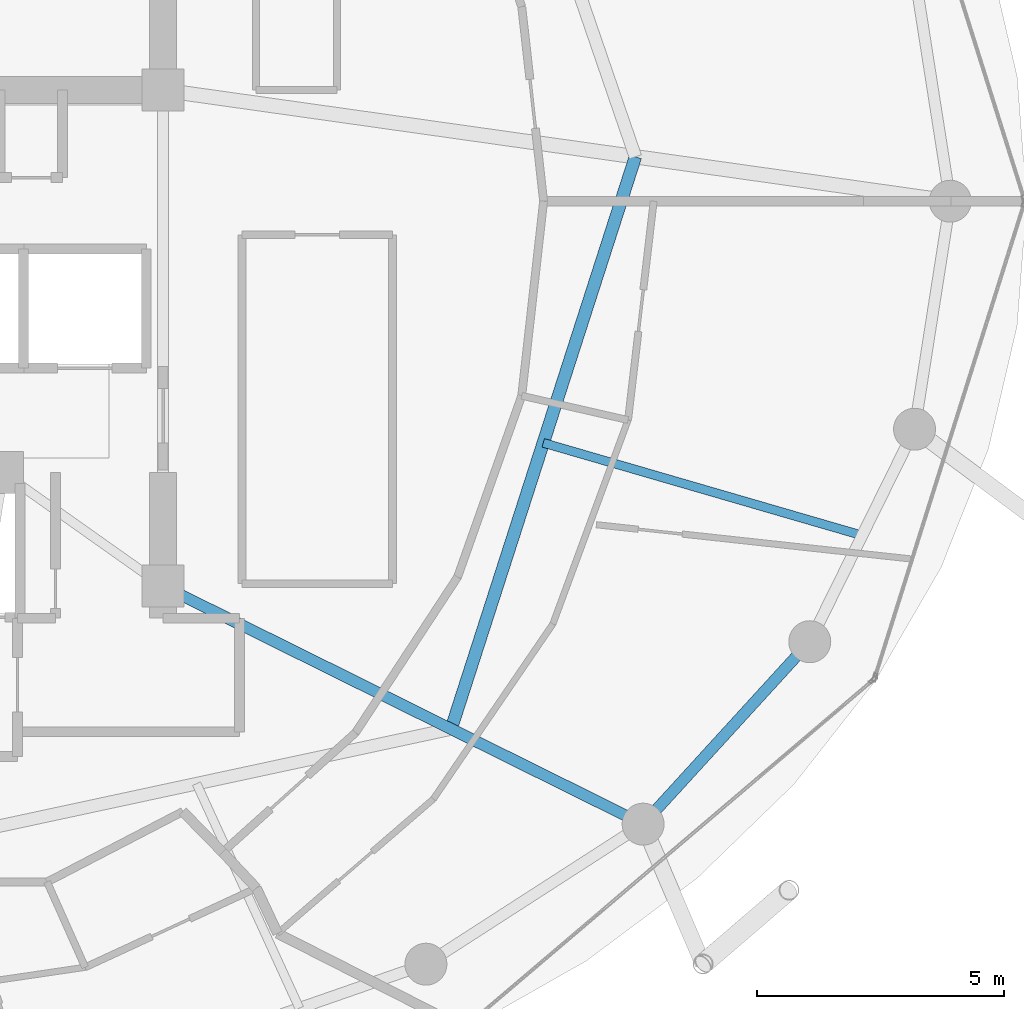
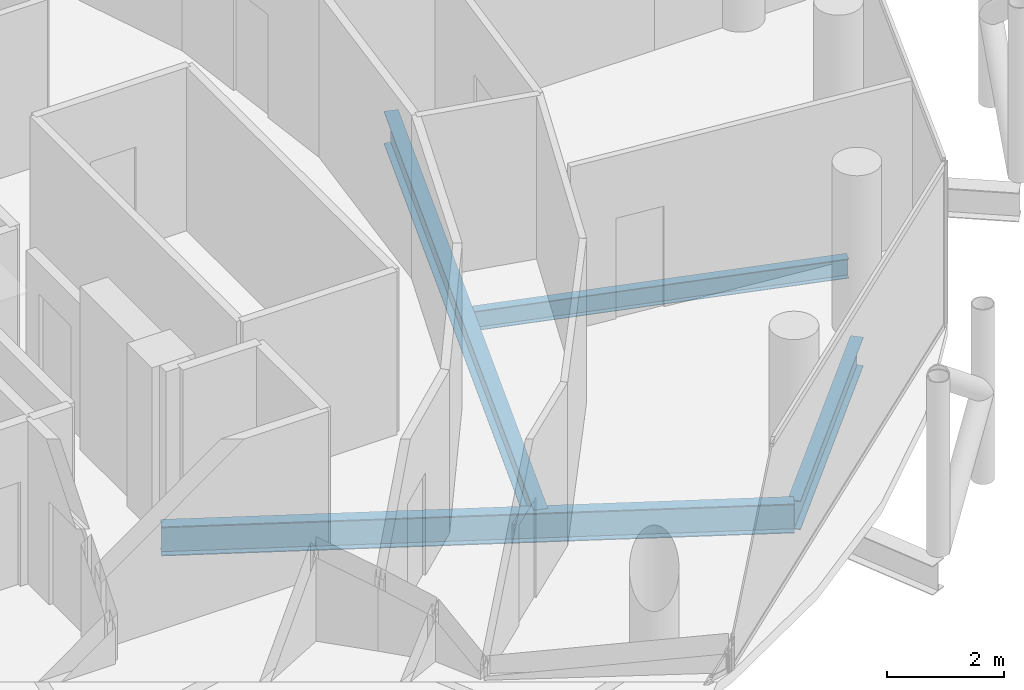
# One storey, part 12 of 27: 4 beams.
"""IFC4 building model written with IfcOpenShell, lengths in metres."""

from ifc_helpers import new_model, si_unit, direction, frame, origin, origin_2d, place, context, subcontext, project, spatial, i_section, extrude, material, material_profile, profile_set, type_object, element, save


model = new_model("IFC4")

# Units and contexts
model_context = context("Model", 3, precision=1e-05, world=origin(), true_north=direction((0.0, 1.0)))
body_context = subcontext(model_context, "Body", "Model", "MODEL_VIEW")
ifc_project = project(units=[si_unit("LENGTHUNIT", "METRE"), si_unit("AREAUNIT", "SQUARE_METRE"), si_unit("VOLUMEUNIT", "CUBIC_METRE"), si_unit("PLANEANGLEUNIT", "RADIAN"), si_unit("MASSUNIT", "GRAM", prefix="KILO")], contexts=[model_context])

# Site, building, storey
site_placement = place(None, origin())
site = spatial("IfcSite", under=ifc_project, at=site_placement, CompositionType="ELEMENT")
building_placement = place(site_placement, origin())
building = spatial("IfcBuilding", under=site, at=building_placement, Name="Nuhasar Tower", CompositionType="ELEMENT")
storey_placement = place(building_placement, frame((0.0, 0.0, 219.10009765625)))
storey = spatial("IfcBuildingStorey", under=building, at=storey_placement, Name="L53", CompositionType="ELEMENT", Elevation=219.10009765625)

# Beams
ifc_material = material(Name="Steel S355", Category="steel")
ifc_material_profile_1 = material_profile(ifc_material, i_section(OverallWidth=0.25390625, OverallDepth=0.68408203125, WebThickness=0.012451171875, FlangeThickness=0.018798828125, at=origin_2d()), Name="W27X94")
ifc_profile_set_1 = profile_set([ifc_material_profile_1], Name="Steel S355")
beam_type_1 = type_object("IfcBeamType", Name="BM-INRING-W27X94", PredefinedType="BEAM", material=ifc_profile_set_1)
beam_1_placement = place(storey_placement, frame((50.135986328125, 16.10693359375, -0.58203125), z_axis=(0.306589852134, 0.951841721385, 0.0), x_axis=(-0.951841721385, 0.306589852134, 0.0)))
element("IfcBeam", 1, at=beam_1_placement, inside=storey, type_object=beam_type_1, Name="L53 Inner Header Beam 03", PredefinedType="BEAM", context=body_context, shape_type="SweptSolid", body=[
    extrude(i_section(OverallWidth=0.25390625, OverallDepth=0.68408203125, WebThickness=0.012451171875, FlangeThickness=0.018798828125, at=origin_2d()), origin(), (0.0, 0.0, 1.0), 12.179443359375),
])
ifc_material_profile_2 = material_profile(ifc_material, i_section(OverallWidth=0.177978515625, OverallDepth=0.406005859375, WebThickness=0.0078125, FlangeThickness=0.0126953125, at=origin_2d()), Name="W16X40")
ifc_profile_set_2 = profile_set([ifc_material_profile_2], Name="Steel S355")
beam_type_2 = type_object("IfcBeamType", Name="BM-JST-W16X40", PredefinedType="JOIST", material=ifc_profile_set_2)
beam_2_placement = place(storey_placement, frame((52.0029296875, 21.904052734375, -0.443115234375), z_axis=(0.960312689798, -0.27892568511, 0.0), x_axis=(0.27892568511, 0.960312689798, 0.0)))
element("IfcBeam", 2, at=beam_2_placement, inside=storey, type_object=beam_type_2, Name="L53 Secondary Floor Joist 03", PredefinedType="JOIST", context=body_context, shape_type="SweptSolid", body=[
    extrude(i_section(OverallWidth=0.177978515625, OverallDepth=0.406005859375, WebThickness=0.0078125, FlangeThickness=0.0126953125, at=origin_2d()), origin(), (0.0, 0.0, 1.0), 6.729248046875),
])
ifc_material_profile_3 = material_profile(ifc_material, i_section(OverallWidth=0.22900390625, OverallDepth=0.612060546875, WebThickness=0.011962890625, FlangeThickness=0.01953125, at=origin_2d()), Name="W24X84")
ifc_profile_set_3 = profile_set([ifc_material_profile_3], Name="Steel S355")
beam_type_3 = type_object("IfcBeamType", Name="BM-RAD-W24X84", PredefinedType="BEAM", material=ifc_profile_set_3)
beam_3_placement = place(storey_placement, frame((44.300048828125, 19.0, -0.546142578125), z_axis=(0.895928935233, -0.444197414459, 0.0), x_axis=(0.444197414459, 0.895928935233, 0.0)))
element("IfcBeam", 3, at=beam_3_placement, inside=storey, type_object=beam_type_3, Name="L53 Radial Floor Girder 03", PredefinedType="BEAM", context=body_context, shape_type="SweptSolid", body=[
    extrude(i_section(OverallWidth=0.22900390625, OverallDepth=0.612060546875, WebThickness=0.011962890625, FlangeThickness=0.01953125, at=origin_2d()), origin(), (0.0, 0.0, 1.0), 10.85546875),
])
ifc_material_profile_4 = material_profile(ifc_material, i_section(OverallWidth=0.22802734375, OverallDepth=0.60791015625, WebThickness=0.01123046875, FlangeThickness=0.017333984375, at=origin_2d()), Name="W24X76")
ifc_profile_set_4 = profile_set([ifc_material_profile_4], Name="Steel S355")
beam_type_4 = type_object("IfcBeamType", Name="BM-RING-W24X76", PredefinedType="SPANDREL", material=ifc_profile_set_4)
beam_4_placement = place(storey_placement, frame((54.02587890625, 14.177978515625, -0.544189453125), z_axis=(0.674449692975, 0.738320805373, 0.0), x_axis=(-0.738320805373, 0.674449692975, 0.0)))
element("IfcBeam", 4, at=beam_4_placement, inside=storey, type_object=beam_type_4, Name="L53 Perimeter Ring Spandrel 22", PredefinedType="SPANDREL", context=body_context, shape_type="SweptSolid", body=[
    extrude(i_section(OverallWidth=0.22802734375, OverallDepth=0.60791015625, WebThickness=0.01123046875, FlangeThickness=0.017333984375, at=origin_2d()), origin(), (0.0, 0.0, 1.0), 5.00732421875),
])

save(model, "model.ifc")
